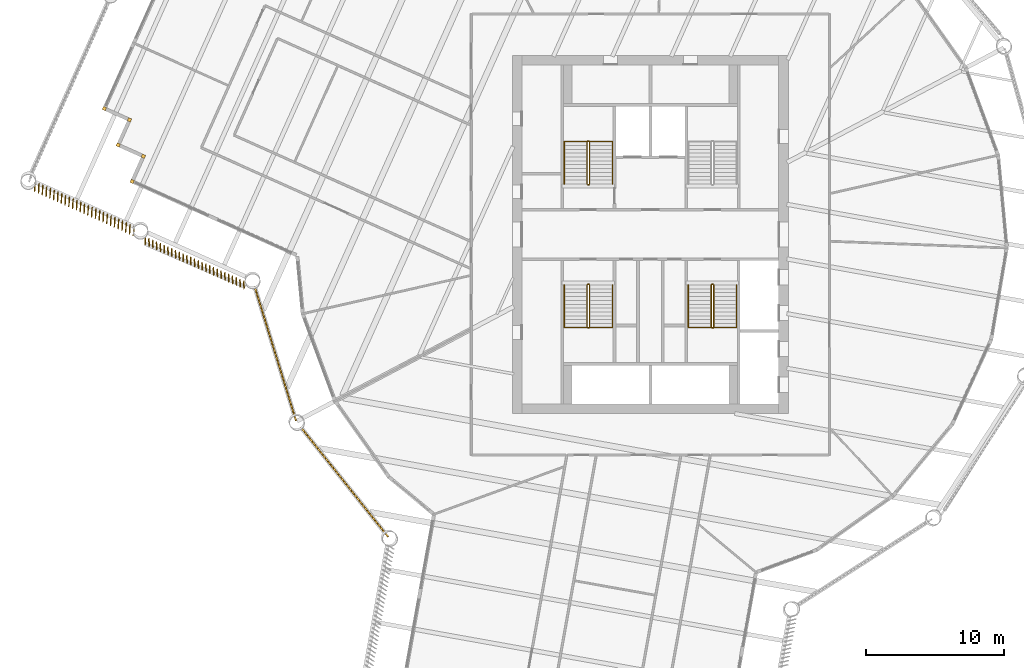
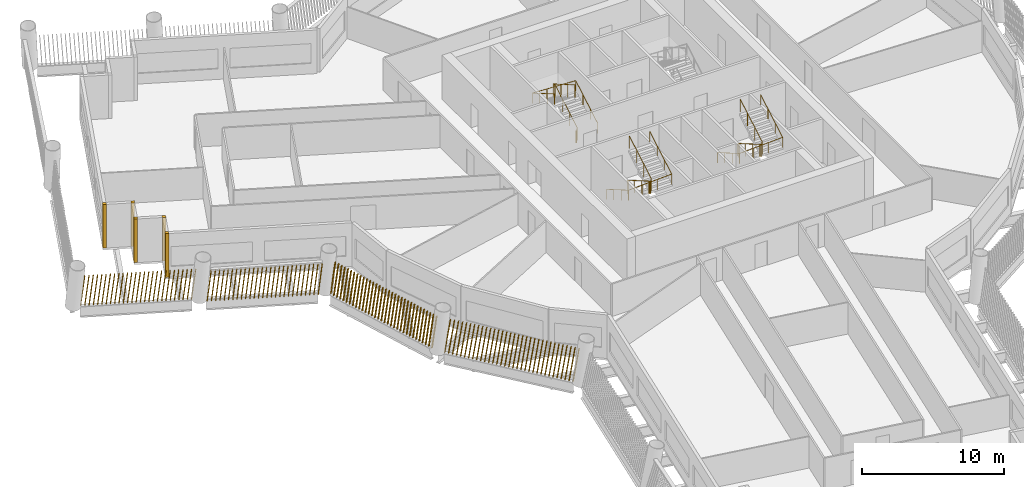
# One storey, part 11 of 14: 9 shading devices, 6 railings.
"""IFC4 building model written with IfcOpenShell, lengths in metres."""

from ifc_helpers import new_model, si_unit, direction, frame, frame_2d, origin, origin_2d, place, context, subcontext, project, spatial, rectangle, circle, composite_profile, extrude, material, type_object, element, save


model = new_model("IFC4")

# Units and contexts
model_context = context("Model", 3, precision=1e-05, world=origin(), true_north=direction((0.0, 1.0)))
body_context = subcontext(model_context, "Body", "Model", "MODEL_VIEW")
ifc_project = project(units=[si_unit("LENGTHUNIT", "METRE"), si_unit("AREAUNIT", "SQUARE_METRE"), si_unit("VOLUMEUNIT", "CUBIC_METRE"), si_unit("PLANEANGLEUNIT", "RADIAN"), si_unit("MASSUNIT", "GRAM", prefix="KILO")], contexts=[model_context])

# Site, building, storey
site_placement = place(None, origin())
site = spatial("IfcSite", under=ifc_project, at=site_placement, CompositionType="ELEMENT")
building_placement = place(site_placement, origin())
building = spatial("IfcBuilding", under=site, at=building_placement, Name="Tarsis Ring Headquarters", CompositionType="ELEMENT")
storey_placement = place(building_placement, frame((0.0, 0.0, 182.699951171875)))
storey = spatial("IfcBuildingStorey", under=building, at=storey_placement, Name="L42", CompositionType="ELEMENT", Elevation=182.699951171875)

# Railings
ifc_material_1 = material(Name="Steel S355", Category="steel")
railing_type_1 = type_object("IfcRailingType", Name="Core stair guard 1100", PredefinedType="GUARDRAIL", material=ifc_material_1)
railing_1_placement = place(storey_placement, frame((-4.5400390625, 3.610107421875, 0.0)))
element("IfcRailing", 1, at=railing_1_placement, inside=storey, type_object=railing_type_1, Name="L42 ST1 stair guard 1", PredefinedType="GUARDRAIL", context=body_context, shape_type="SweptSolid", body=[
    extrude(circle(Radius=0.02392578125, at=origin_2d()), frame((0.0, 0.0, 1.076171875), z_axis=(1.0, 0.0, 0.0), x_axis=(0.0, 1.0, 0.0)), (0.0, 0.0, 1.0), 0.080078125),
    extrude(circle(Radius=0.02392578125, at=origin_2d()), frame((0.080078125, 0.0, 1.076171875), z_axis=(0.282336740067, 0.280959487676, 0.917250092119), x_axis=(-0.705375805398, 0.708833529934, 0.0)), (0.0, 0.0, 1.0), 0.17724609375),
    extrude(circle(Radius=0.02392578125, at=origin_2d()), frame((0.130126953125, 0.0498046875, 1.23876953125), z_axis=(0.0, 0.864920483161, 0.501908913857), x_axis=(-1.0, 0.0, 0.0)), (0.0, 0.0, 1.0), 3.56103515625),
    extrude(circle(Radius=0.02392578125, at=origin_2d()), frame((0.130126953125, 3.1298828125, 3.02587890625), z_axis=(-0.707106781187, 0.707106781187, 0.0), x_axis=(-0.707106781187, -0.707106781187, 0.0)), (0.0, 0.0, 1.0), 0.07080078125),
    extrude(circle(Radius=0.02392578125, at=origin_2d()), frame((0.080078125, 3.179931640625, 3.02587890625), z_axis=(-1.0, 0.0, 0.0), x_axis=(0.0, -1.0, 0.0)), (0.0, 0.0, 1.0), 0.080078125),
    extrude(circle(Radius=0.02392578125, at=origin_2d()), frame((0.0, 3.179931640625, 3.02587890625), z_axis=(-0.282227285176, -0.282227285176, 0.916894497205), x_axis=(0.707106781187, -0.707106781187, 0.0)), (0.0, 0.0, 1.0), 0.17724609375),
    extrude(circle(Radius=0.02392578125, at=origin_2d()), frame((-0.050048828125, 3.1298828125, 3.1884765625), z_axis=(0.0, -0.864890721111, 0.501960198159), x_axis=(1.0, 0.0, 0.0)), (0.0, 0.0, 1.0), 3.561279296875),
    extrude(circle(Radius=0.02099609375, at=origin_2d()), origin(), (0.0, 0.0, 1.0), 1.052001953125),
    extrude(circle(Radius=0.02099609375, at=origin_2d()), frame((0.080078125, 0.0, 0.0)), (0.0, 0.0, 1.0), 1.052001953125),
    extrude(circle(Radius=0.02099609375, at=origin_2d()), frame((0.130126953125, 0.0498046875, 0.16259765625)), (0.0, 0.0, 1.0), 1.052001953125),
    extrude(circle(Radius=0.02099609375, at=origin_2d()), frame((0.130126953125, 1.076416015625, 0.75830078125)), (0.0, 0.0, 1.0), 1.052001953125),
    extrude(circle(Radius=0.02099609375, at=origin_2d()), frame((0.130126953125, 2.103271484375, 1.354248046875)), (0.0, 0.0, 1.0), 1.052001953125),
    extrude(circle(Radius=0.02099609375, at=origin_2d()), frame((0.130126953125, 3.1298828125, 1.949951171875)), (0.0, 0.0, 1.0), 1.052001953125),
    extrude(circle(Radius=0.02099609375, at=origin_2d()), frame((0.080078125, 3.179931640625, 1.949951171875)), (0.0, 0.0, 1.0), 1.052001953125),
    extrude(circle(Radius=0.02099609375, at=origin_2d()), frame((0.0, 3.179931640625, 1.949951171875)), (0.0, 0.0, 1.0), 1.052001953125),
    extrude(circle(Radius=0.02099609375, at=origin_2d()), frame((-0.050048828125, 3.1298828125, 2.112548828125)), (0.0, 0.0, 1.0), 1.052001953125),
    extrude(circle(Radius=0.02099609375, at=origin_2d()), frame((-0.050048828125, 2.103271484375, 2.70849609375)), (0.0, 0.0, 1.0), 1.052001953125),
    extrude(circle(Radius=0.02099609375, at=origin_2d()), frame((-0.050048828125, 1.076416015625, 3.30419921875)), (0.0, 0.0, 1.0), 1.052001953125),
    extrude(circle(Radius=0.02099609375, at=origin_2d()), frame((-0.050048828125, 0.0498046875, 3.900146484375)), (0.0, 0.0, 1.0), 1.052001953125),
])
railing_2_placement = place(storey_placement, frame((-4.4599609375, -3.610107421875, 0.0)))
element("IfcRailing", 2, at=railing_2_placement, inside=storey, type_object=railing_type_1, Name="L42 ST3 stair guard 1", PredefinedType="GUARDRAIL", context=body_context, shape_type="SweptSolid", body=[
    extrude(circle(Radius=0.02392578125, at=origin_2d()), frame((0.0, 0.0, 1.076171875), z_axis=(-1.0, 0.0, 0.0), x_axis=(0.0, -1.0, 0.0)), (0.0, 0.0, 1.0), 0.080078125),
    extrude(circle(Radius=0.02392578125, at=origin_2d()), frame((-0.080078125, 0.0, 1.076171875), z_axis=(-0.282336740067, -0.280959487676, 0.917250092119), x_axis=(0.705375805398, -0.708833529934, 0.0)), (0.0, 0.0, 1.0), 0.17724609375),
    extrude(circle(Radius=0.02392578125, at=origin_2d()), frame((-0.130126953125, -0.0498046875, 1.23876953125), z_axis=(0.0, -0.864920483161, 0.501908913857), x_axis=(1.0, 0.0, 0.0)), (0.0, 0.0, 1.0), 3.56103515625),
    extrude(circle(Radius=0.02392578125, at=origin_2d()), frame((-0.130126953125, -3.1298828125, 3.02587890625), z_axis=(0.707106781187, -0.707106781187, 0.0), x_axis=(0.707106781187, 0.707106781187, 0.0)), (0.0, 0.0, 1.0), 0.07080078125),
    extrude(circle(Radius=0.02392578125, at=origin_2d()), frame((-0.080078125, -3.179931640625, 3.02587890625), z_axis=(1.0, 0.0, 0.0), x_axis=(0.0, 1.0, 0.0)), (0.0, 0.0, 1.0), 0.080078125),
    extrude(circle(Radius=0.02392578125, at=origin_2d()), frame((0.0, -3.179931640625, 3.02587890625), z_axis=(0.282227285176, 0.282227285176, 0.916894497205), x_axis=(-0.707106781187, 0.707106781187, 0.0)), (0.0, 0.0, 1.0), 0.17724609375),
    extrude(circle(Radius=0.02392578125, at=origin_2d()), frame((0.050048828125, -3.1298828125, 3.1884765625), z_axis=(0.0, 0.864890721111, 0.501960198159), x_axis=(-1.0, 0.0, 0.0)), (0.0, 0.0, 1.0), 3.561279296875),
    extrude(circle(Radius=0.02099609375, at=origin_2d()), origin(), (0.0, 0.0, 1.0), 1.052001953125),
    extrude(circle(Radius=0.02099609375, at=origin_2d()), frame((-0.080078125, 0.0, 0.0)), (0.0, 0.0, 1.0), 1.052001953125),
    extrude(circle(Radius=0.02099609375, at=origin_2d()), frame((-0.130126953125, -0.0498046875, 0.16259765625)), (0.0, 0.0, 1.0), 1.052001953125),
    extrude(circle(Radius=0.02099609375, at=origin_2d()), frame((-0.130126953125, -1.076416015625, 0.75830078125)), (0.0, 0.0, 1.0), 1.052001953125),
    extrude(circle(Radius=0.02099609375, at=origin_2d()), frame((-0.130126953125, -2.103271484375, 1.354248046875)), (0.0, 0.0, 1.0), 1.052001953125),
    extrude(circle(Radius=0.02099609375, at=origin_2d()), frame((-0.130126953125, -3.1298828125, 1.949951171875)), (0.0, 0.0, 1.0), 1.052001953125),
    extrude(circle(Radius=0.02099609375, at=origin_2d()), frame((-0.080078125, -3.179931640625, 1.949951171875)), (0.0, 0.0, 1.0), 1.052001953125),
    extrude(circle(Radius=0.02099609375, at=origin_2d()), frame((0.0, -3.179931640625, 1.949951171875)), (0.0, 0.0, 1.0), 1.052001953125),
    extrude(circle(Radius=0.02099609375, at=origin_2d()), frame((0.050048828125, -3.1298828125, 2.112548828125)), (0.0, 0.0, 1.0), 1.052001953125),
    extrude(circle(Radius=0.02099609375, at=origin_2d()), frame((0.050048828125, -2.103271484375, 2.70849609375)), (0.0, 0.0, 1.0), 1.052001953125),
    extrude(circle(Radius=0.02099609375, at=origin_2d()), frame((0.050048828125, -1.076416015625, 3.30419921875)), (0.0, 0.0, 1.0), 1.052001953125),
    extrude(circle(Radius=0.02099609375, at=origin_2d()), frame((0.050048828125, -0.0498046875, 3.900146484375)), (0.0, 0.0, 1.0), 1.052001953125),
])
railing_3_placement = place(storey_placement, frame((4.5400390625, -3.610107421875, 0.0)))
element("IfcRailing", 3, at=railing_3_placement, inside=storey, type_object=railing_type_1, Name="L42 ST4 stair guard 1", PredefinedType="GUARDRAIL", context=body_context, shape_type="SweptSolid", body=[
    extrude(circle(Radius=0.02392578125, at=origin_2d()), frame((0.0, 0.0, 1.076171875), z_axis=(-1.0, 0.0, 0.0), x_axis=(0.0, -1.0, 0.0)), (0.0, 0.0, 1.0), 0.080078125),
    extrude(circle(Radius=0.02392578125, at=origin_2d()), frame((-0.080078125, 0.0, 1.076171875), z_axis=(-0.282336740067, -0.280959487676, 0.917250092119), x_axis=(0.705375805398, -0.708833529934, 0.0)), (0.0, 0.0, 1.0), 0.17724609375),
    extrude(circle(Radius=0.02392578125, at=origin_2d()), frame((-0.130126953125, -0.0498046875, 1.23876953125), z_axis=(0.0, -0.864920483161, 0.501908913857), x_axis=(1.0, 0.0, 0.0)), (0.0, 0.0, 1.0), 3.56103515625),
    extrude(circle(Radius=0.02392578125, at=origin_2d()), frame((-0.130126953125, -3.1298828125, 3.02587890625), z_axis=(0.707106781187, -0.707106781187, 0.0), x_axis=(0.707106781187, 0.707106781187, 0.0)), (0.0, 0.0, 1.0), 0.07080078125),
    extrude(circle(Radius=0.02392578125, at=origin_2d()), frame((-0.080078125, -3.179931640625, 3.02587890625), z_axis=(1.0, 0.0, 0.0), x_axis=(0.0, 1.0, 0.0)), (0.0, 0.0, 1.0), 0.080078125),
    extrude(circle(Radius=0.02392578125, at=origin_2d()), frame((0.0, -3.179931640625, 3.02587890625), z_axis=(0.282227285176, 0.282227285176, 0.916894497205), x_axis=(-0.707106781187, 0.707106781187, 0.0)), (0.0, 0.0, 1.0), 0.17724609375),
    extrude(circle(Radius=0.02392578125, at=origin_2d()), frame((0.050048828125, -3.1298828125, 3.1884765625), z_axis=(0.0, 0.864890721111, 0.501960198159), x_axis=(-1.0, 0.0, 0.0)), (0.0, 0.0, 1.0), 3.561279296875),
    extrude(circle(Radius=0.02099609375, at=origin_2d()), origin(), (0.0, 0.0, 1.0), 1.052001953125),
    extrude(circle(Radius=0.02099609375, at=origin_2d()), frame((-0.080078125, 0.0, 0.0)), (0.0, 0.0, 1.0), 1.052001953125),
    extrude(circle(Radius=0.02099609375, at=origin_2d()), frame((-0.130126953125, -0.0498046875, 0.16259765625)), (0.0, 0.0, 1.0), 1.052001953125),
    extrude(circle(Radius=0.02099609375, at=origin_2d()), frame((-0.130126953125, -1.076416015625, 0.75830078125)), (0.0, 0.0, 1.0), 1.052001953125),
    extrude(circle(Radius=0.02099609375, at=origin_2d()), frame((-0.130126953125, -2.103271484375, 1.354248046875)), (0.0, 0.0, 1.0), 1.052001953125),
    extrude(circle(Radius=0.02099609375, at=origin_2d()), frame((-0.130126953125, -3.1298828125, 1.949951171875)), (0.0, 0.0, 1.0), 1.052001953125),
    extrude(circle(Radius=0.02099609375, at=origin_2d()), frame((-0.080078125, -3.179931640625, 1.949951171875)), (0.0, 0.0, 1.0), 1.052001953125),
    extrude(circle(Radius=0.02099609375, at=origin_2d()), frame((0.0, -3.179931640625, 1.949951171875)), (0.0, 0.0, 1.0), 1.052001953125),
    extrude(circle(Radius=0.02099609375, at=origin_2d()), frame((0.050048828125, -3.1298828125, 2.112548828125)), (0.0, 0.0, 1.0), 1.052001953125),
    extrude(circle(Radius=0.02099609375, at=origin_2d()), frame((0.050048828125, -2.103271484375, 2.70849609375)), (0.0, 0.0, 1.0), 1.052001953125),
    extrude(circle(Radius=0.02099609375, at=origin_2d()), frame((0.050048828125, -1.076416015625, 3.30419921875)), (0.0, 0.0, 1.0), 1.052001953125),
    extrude(circle(Radius=0.02099609375, at=origin_2d()), frame((0.050048828125, -0.0498046875, 3.900146484375)), (0.0, 0.0, 1.0), 1.052001953125),
])
railing_type_2 = type_object("IfcRailingType", Name="Core stair handrail 900", PredefinedType="HANDRAIL", material=ifc_material_1)
railing_4_placement = place(storey_placement, frame((-2.75, 3.659912109375, 0.16259765625)))
element("IfcRailing", 4, at=railing_4_placement, inside=storey, type_object=railing_type_2, Name="L42 ST1 stair handrail 1", PredefinedType="HANDRAIL", context=body_context, shape_type="SweptSolid", body=[
    extrude(circle(Radius=0.02392578125, at=origin_2d()), frame((0.0, 0.0, 0.8759765625), z_axis=(0.0, 0.864920483161, 0.501908913857), x_axis=(-1.0, 0.0, 0.0)), (0.0, 0.0, 1.0), 3.56103515625),
    extrude(circle(Radius=0.02392578125, at=origin_2d()), frame((0.0, 3.080078125, 2.6630859375), z_axis=(-0.998922641604, 0.0, 0.046406422943), x_axis=(0.0, -1.0, 0.0)), (0.0, 0.0, 1.0), 3.503662109375),
    extrude(circle(Radius=0.02392578125, at=origin_2d()), frame((-3.5, 3.080078125, 2.82568359375), z_axis=(0.0, -0.864890721111, 0.501960198159), x_axis=(1.0, 0.0, 0.0)), (0.0, 0.0, 1.0), 3.561279296875),
    extrude(circle(Radius=0.02099609375, at=origin_2d()), origin(), (0.0, 0.0, 1.0), 0.851806640625),
    extrude(circle(Radius=0.02099609375, at=origin_2d()), frame((0.0, 1.026611328125, 0.595703125)), (0.0, 0.0, 1.0), 0.851806640625),
    extrude(circle(Radius=0.02099609375, at=origin_2d()), frame((0.0, 2.053466796875, 1.191650390625)), (0.0, 0.0, 1.0), 0.851806640625),
    extrude(circle(Radius=0.02099609375, at=origin_2d()), frame((0.0, 3.080078125, 1.787353515625)), (0.0, 0.0, 1.0), 0.851806640625),
    extrude(circle(Radius=0.02099609375, at=origin_2d()), frame((-1.166748046875, 3.080078125, 1.841552734375)), (0.0, 0.0, 1.0), 0.851806640625),
    extrude(circle(Radius=0.02099609375, at=origin_2d()), frame((-2.333251953125, 3.080078125, 1.895751953125)), (0.0, 0.0, 1.0), 0.851806640625),
    extrude(circle(Radius=0.02099609375, at=origin_2d()), frame((-3.5, 3.080078125, 1.949951171875)), (0.0, 0.0, 1.0), 0.851806640625),
    extrude(circle(Radius=0.02099609375, at=origin_2d()), frame((-3.5, 2.053466796875, 2.5458984375)), (0.0, 0.0, 1.0), 0.851806640625),
    extrude(circle(Radius=0.02099609375, at=origin_2d()), frame((-3.5, 1.026611328125, 3.1416015625)), (0.0, 0.0, 1.0), 0.851806640625),
    extrude(circle(Radius=0.02099609375, at=origin_2d()), frame((-3.5, 0.0, 3.737548828125)), (0.0, 0.0, 1.0), 0.851806640625),
])
railing_5_placement = place(storey_placement, frame((-6.25, -3.659912109375, 0.16259765625)))
element("IfcRailing", 5, at=railing_5_placement, inside=storey, type_object=railing_type_2, Name="L42 ST3 stair handrail 1", PredefinedType="HANDRAIL", context=body_context, shape_type="SweptSolid", body=[
    extrude(circle(Radius=0.02392578125, at=origin_2d()), frame((0.0, 0.0, 0.8759765625), z_axis=(0.0, -0.864920483161, 0.501908913857), x_axis=(1.0, 0.0, 0.0)), (0.0, 0.0, 1.0), 3.56103515625),
    extrude(circle(Radius=0.02392578125, at=origin_2d()), frame((0.0, -3.080078125, 2.6630859375), z_axis=(0.998922641604, 0.0, 0.046406422943), x_axis=(0.0, 1.0, 0.0)), (0.0, 0.0, 1.0), 3.503662109375),
    extrude(circle(Radius=0.02392578125, at=origin_2d()), frame((3.5, -3.080078125, 2.82568359375), z_axis=(0.0, 0.864890721111, 0.501960198159), x_axis=(-1.0, 0.0, 0.0)), (0.0, 0.0, 1.0), 3.561279296875),
    extrude(circle(Radius=0.02099609375, at=origin_2d()), origin(), (0.0, 0.0, 1.0), 0.851806640625),
    extrude(circle(Radius=0.02099609375, at=origin_2d()), frame((0.0, -1.026611328125, 0.595703125)), (0.0, 0.0, 1.0), 0.851806640625),
    extrude(circle(Radius=0.02099609375, at=origin_2d()), frame((0.0, -2.053466796875, 1.191650390625)), (0.0, 0.0, 1.0), 0.851806640625),
    extrude(circle(Radius=0.02099609375, at=origin_2d()), frame((0.0, -3.080078125, 1.787353515625)), (0.0, 0.0, 1.0), 0.851806640625),
    extrude(circle(Radius=0.02099609375, at=origin_2d()), frame((1.166748046875, -3.080078125, 1.841552734375)), (0.0, 0.0, 1.0), 0.851806640625),
    extrude(circle(Radius=0.02099609375, at=origin_2d()), frame((2.333251953125, -3.080078125, 1.895751953125)), (0.0, 0.0, 1.0), 0.851806640625),
    extrude(circle(Radius=0.02099609375, at=origin_2d()), frame((3.5, -3.080078125, 1.949951171875)), (0.0, 0.0, 1.0), 0.851806640625),
    extrude(circle(Radius=0.02099609375, at=origin_2d()), frame((3.5, -2.053466796875, 2.5458984375)), (0.0, 0.0, 1.0), 0.851806640625),
    extrude(circle(Radius=0.02099609375, at=origin_2d()), frame((3.5, -1.026611328125, 3.1416015625)), (0.0, 0.0, 1.0), 0.851806640625),
    extrude(circle(Radius=0.02099609375, at=origin_2d()), frame((3.5, 0.0, 3.737548828125)), (0.0, 0.0, 1.0), 0.851806640625),
])
railing_6_placement = place(storey_placement, frame((2.75, -3.659912109375, 0.16259765625)))
element("IfcRailing", 6, at=railing_6_placement, inside=storey, type_object=railing_type_2, Name="L42 ST4 stair handrail 1", PredefinedType="HANDRAIL", context=body_context, shape_type="SweptSolid", body=[
    extrude(circle(Radius=0.02392578125, at=origin_2d()), frame((0.0, 0.0, 0.8759765625), z_axis=(0.0, -0.864920483161, 0.501908913857), x_axis=(1.0, 0.0, 0.0)), (0.0, 0.0, 1.0), 3.56103515625),
    extrude(circle(Radius=0.02392578125, at=origin_2d()), frame((0.0, -3.080078125, 2.6630859375), z_axis=(0.998922641604, 0.0, 0.046406422943), x_axis=(0.0, 1.0, 0.0)), (0.0, 0.0, 1.0), 3.503662109375),
    extrude(circle(Radius=0.02392578125, at=origin_2d()), frame((3.5, -3.080078125, 2.82568359375), z_axis=(0.0, 0.864890721111, 0.501960198159), x_axis=(-1.0, 0.0, 0.0)), (0.0, 0.0, 1.0), 3.561279296875),
    extrude(circle(Radius=0.02099609375, at=origin_2d()), origin(), (0.0, 0.0, 1.0), 0.851806640625),
    extrude(circle(Radius=0.02099609375, at=origin_2d()), frame((0.0, -1.026611328125, 0.595703125)), (0.0, 0.0, 1.0), 0.851806640625),
    extrude(circle(Radius=0.02099609375, at=origin_2d()), frame((0.0, -2.053466796875, 1.191650390625)), (0.0, 0.0, 1.0), 0.851806640625),
    extrude(circle(Radius=0.02099609375, at=origin_2d()), frame((0.0, -3.080078125, 1.787353515625)), (0.0, 0.0, 1.0), 0.851806640625),
    extrude(circle(Radius=0.02099609375, at=origin_2d()), frame((1.166748046875, -3.080078125, 1.841552734375)), (0.0, 0.0, 1.0), 0.851806640625),
    extrude(circle(Radius=0.02099609375, at=origin_2d()), frame((2.333251953125, -3.080078125, 1.895751953125)), (0.0, 0.0, 1.0), 0.851806640625),
    extrude(circle(Radius=0.02099609375, at=origin_2d()), frame((3.5, -3.080078125, 1.949951171875)), (0.0, 0.0, 1.0), 0.851806640625),
    extrude(circle(Radius=0.02099609375, at=origin_2d()), frame((3.5, -2.053466796875, 2.5458984375)), (0.0, 0.0, 1.0), 0.851806640625),
    extrude(circle(Radius=0.02099609375, at=origin_2d()), frame((3.5, -1.026611328125, 3.1416015625)), (0.0, 0.0, 1.0), 0.851806640625),
    extrude(circle(Radius=0.02099609375, at=origin_2d()), frame((3.5, 0.0, 3.737548828125)), (0.0, 0.0, 1.0), 0.851806640625),
])

# Shading devices
ifc_material_2 = material(Name="Terracotta baguette", Category="masonry")
shading_device_type_1 = type_object("IfcShadingDeviceType", Name="Terracotta baguette screen", PredefinedType="USERDEFINED", material=ifc_material_2)
shading_device_1_placement = place(storey_placement, frame((-25.374755859375, -13.95703125, 0.0), z_axis=(0.0, 0.0, 1.0), x_axis=(0.622851289226, -0.782355586648, 0.0)))
element("IfcShadingDevice", 7, at=shading_device_1_placement, inside=storey, type_object=shading_device_type_1, Name="Baguette screen L42-00", ObjectType="Terracotta baguette screen", PredefinedType="USERDEFINED", context=body_context, shape_type="SweptSolid", body=[
    extrude(composite_profile([rectangle(XDim=0.06005859375, YDim=0.1201171875, at=frame_2d((0.030029296875, 0.0))), rectangle(XDim=0.06005859375, YDim=0.1201171875, at=frame_2d((0.33349609375, 0.0))), rectangle(XDim=0.06005859375, YDim=0.1201171875, at=frame_2d((0.636962890625, 0.0))), rectangle(XDim=0.06005859375, YDim=0.1201171875, at=frame_2d((0.9404296875, 0.0))), rectangle(XDim=0.06005859375, YDim=0.1201171875, at=frame_2d((1.243896484375, 0.0))), rectangle(XDim=0.06005859375, YDim=0.1201171875, at=frame_2d((1.54736328125, 0.0))), rectangle(XDim=0.06005859375, YDim=0.1201171875, at=frame_2d((1.850830078125, 0.0))), rectangle(XDim=0.06005859375, YDim=0.1201171875, at=frame_2d((2.154296875, 0.0))), rectangle(XDim=0.06005859375, YDim=0.1201171875, at=frame_2d((2.4580078125, 0.0))), rectangle(XDim=0.06005859375, YDim=0.1201171875, at=frame_2d((2.761474609375, 0.0))), rectangle(XDim=0.06005859375, YDim=0.1201171875, at=frame_2d((3.06494140625, 0.0))), rectangle(XDim=0.06005859375, YDim=0.1201171875, at=frame_2d((3.368408203125, 0.0))), rectangle(XDim=0.06005859375, YDim=0.1201171875, at=frame_2d((3.671875, 0.0))), rectangle(XDim=0.06005859375, YDim=0.1201171875, at=frame_2d((3.975341796875, 0.0))), rectangle(XDim=0.06005859375, YDim=0.1201171875, at=frame_2d((4.27880859375, 0.0))), rectangle(XDim=0.06005859375, YDim=0.1201171875, at=frame_2d((4.582275390625, 0.0))), rectangle(XDim=0.06005859375, YDim=0.1201171875, at=frame_2d((4.8857421875, 0.0))), rectangle(XDim=0.06005859375, YDim=0.1201171875, at=frame_2d((5.189208984375, 0.0))), rectangle(XDim=0.06005859375, YDim=0.1201171875, at=frame_2d((5.49267578125, 0.0))), rectangle(XDim=0.06005859375, YDim=0.1201171875, at=frame_2d((5.796142578125, 0.0))), rectangle(XDim=0.06005859375, YDim=0.1201171875, at=frame_2d((6.099609375, 0.0))), rectangle(XDim=0.06005859375, YDim=0.1201171875, at=frame_2d((6.403076171875, 0.0))), rectangle(XDim=0.06005859375, YDim=0.1201171875, at=frame_2d((6.70654296875, 0.0))), rectangle(XDim=0.06005859375, YDim=0.1201171875, at=frame_2d((7.010009765625, 0.0))), rectangle(XDim=0.06005859375, YDim=0.1201171875, at=frame_2d((7.3134765625, 0.0))), rectangle(XDim=0.06005859375, YDim=0.1201171875, at=frame_2d((7.6171875, 0.0))), rectangle(XDim=0.06005859375, YDim=0.1201171875, at=frame_2d((7.920654296875, 0.0))), rectangle(XDim=0.06005859375, YDim=0.1201171875, at=frame_2d((8.22412109375, 0.0))), rectangle(XDim=0.06005859375, YDim=0.1201171875, at=frame_2d((8.527587890625, 0.0))), rectangle(XDim=0.06005859375, YDim=0.1201171875, at=frame_2d((8.8310546875, 0.0))), rectangle(XDim=0.06005859375, YDim=0.1201171875, at=frame_2d((9.134521484375, 0.0))), rectangle(XDim=0.06005859375, YDim=0.1201171875, at=frame_2d((9.43798828125, 0.0))), rectangle(XDim=0.06005859375, YDim=0.1201171875, at=frame_2d((9.741455078125, 0.0)))]), origin(), (0.150265892389, 0.001182730812, 0.988644912358), 2.98388671875),
])
shading_device_2_placement = place(storey_placement, frame((-44.652099609375, 3.80908203125, 0.0), z_axis=(0.0, 0.0, 1.0), x_axis=(0.912410788766, -0.409274878735, 0.0)))
element("IfcShadingDevice", 8, at=shading_device_2_placement, inside=storey, type_object=shading_device_type_1, Name="Baguette screen L42-19", ObjectType="Terracotta baguette screen", PredefinedType="USERDEFINED", context=body_context, shape_type="SweptSolid", body=[
    extrude(composite_profile([rectangle(XDim=0.06005859375, YDim=0.1201171875, at=frame_2d((0.030029296875, 0.0))), rectangle(XDim=0.06005859375, YDim=0.1201171875, at=frame_2d((0.33154296875, 0.0))), rectangle(XDim=0.06005859375, YDim=0.1201171875, at=frame_2d((0.63330078125, 0.0))), rectangle(XDim=0.06005859375, YDim=0.1201171875, at=frame_2d((0.934814453125, 0.0))), rectangle(XDim=0.06005859375, YDim=0.1201171875, at=frame_2d((1.236572265625, 0.0))), rectangle(XDim=0.06005859375, YDim=0.1201171875, at=frame_2d((1.5380859375, 0.0))), rectangle(XDim=0.06005859375, YDim=0.1201171875, at=frame_2d((1.83984375, 0.0))), rectangle(XDim=0.06005859375, YDim=0.1201171875, at=frame_2d((2.141357421875, 0.0))), rectangle(XDim=0.06005859375, YDim=0.1201171875, at=frame_2d((2.443115234375, 0.0))), rectangle(XDim=0.06005859375, YDim=0.1201171875, at=frame_2d((2.74462890625, 0.0))), rectangle(XDim=0.06005859375, YDim=0.1201171875, at=frame_2d((3.04638671875, 0.0))), rectangle(XDim=0.06005859375, YDim=0.1201171875, at=frame_2d((3.347900390625, 0.0))), rectangle(XDim=0.06005859375, YDim=0.1201171875, at=frame_2d((3.649658203125, 0.0))), rectangle(XDim=0.06005859375, YDim=0.1201171875, at=frame_2d((3.951171875, 0.0))), rectangle(XDim=0.06005859375, YDim=0.1201171875, at=frame_2d((4.252685546875, 0.0))), rectangle(XDim=0.06005859375, YDim=0.1201171875, at=frame_2d((4.554443359375, 0.0))), rectangle(XDim=0.06005859375, YDim=0.1201171875, at=frame_2d((4.85595703125, 0.0))), rectangle(XDim=0.06005859375, YDim=0.1201171875, at=frame_2d((5.15771484375, 0.0))), rectangle(XDim=0.06005859375, YDim=0.1201171875, at=frame_2d((5.459228515625, 0.0))), rectangle(XDim=0.06005859375, YDim=0.1201171875, at=frame_2d((5.760986328125, 0.0))), rectangle(XDim=0.06005859375, YDim=0.1201171875, at=frame_2d((6.0625, 0.0))), rectangle(XDim=0.06005859375, YDim=0.1201171875, at=frame_2d((6.3642578125, 0.0))), rectangle(XDim=0.06005859375, YDim=0.1201171875, at=frame_2d((6.665771484375, 0.0))), rectangle(XDim=0.06005859375, YDim=0.1201171875, at=frame_2d((6.967529296875, 0.0))), rectangle(XDim=0.06005859375, YDim=0.1201171875, at=frame_2d((7.26904296875, 0.0))), rectangle(XDim=0.06005859375, YDim=0.1201171875, at=frame_2d((7.57080078125, 0.0))), rectangle(XDim=0.06005859375, YDim=0.1201171875, at=frame_2d((7.872314453125, 0.0)))]), origin(), (0.078546078595, -0.198866691295, 0.976873867309), 3.019775390625),
])
shading_device_3_placement = place(storey_placement, frame((-36.683349609375, -0.176513671875, 0.0), z_axis=(0.0, 0.0, 1.0), x_axis=(0.91241349481, -0.409293129016, 0.0)))
element("IfcShadingDevice", 9, at=shading_device_3_placement, inside=storey, type_object=shading_device_type_1, Name="Baguette screen L42-20", ObjectType="Terracotta baguette screen", PredefinedType="USERDEFINED", context=body_context, shape_type="SweptSolid", body=[
    extrude(composite_profile([rectangle(XDim=0.06005859375, YDim=0.1201171875, at=frame_2d((0.030029296875, 0.0))), rectangle(XDim=0.06005859375, YDim=0.1201171875, at=frame_2d((0.33154296875, 0.0))), rectangle(XDim=0.06005859375, YDim=0.1201171875, at=frame_2d((0.63330078125, 0.0))), rectangle(XDim=0.06005859375, YDim=0.1201171875, at=frame_2d((0.934814453125, 0.0))), rectangle(XDim=0.06005859375, YDim=0.1201171875, at=frame_2d((1.236572265625, 0.0))), rectangle(XDim=0.06005859375, YDim=0.1201171875, at=frame_2d((1.5380859375, 0.0))), rectangle(XDim=0.06005859375, YDim=0.1201171875, at=frame_2d((1.83984375, 0.0))), rectangle(XDim=0.06005859375, YDim=0.1201171875, at=frame_2d((2.141357421875, 0.0))), rectangle(XDim=0.06005859375, YDim=0.1201171875, at=frame_2d((2.443115234375, 0.0))), rectangle(XDim=0.06005859375, YDim=0.1201171875, at=frame_2d((2.74462890625, 0.0))), rectangle(XDim=0.06005859375, YDim=0.1201171875, at=frame_2d((3.04638671875, 0.0))), rectangle(XDim=0.06005859375, YDim=0.1201171875, at=frame_2d((3.347900390625, 0.0))), rectangle(XDim=0.06005859375, YDim=0.1201171875, at=frame_2d((3.649658203125, 0.0))), rectangle(XDim=0.06005859375, YDim=0.1201171875, at=frame_2d((3.951171875, 0.0))), rectangle(XDim=0.06005859375, YDim=0.1201171875, at=frame_2d((4.252685546875, 0.0))), rectangle(XDim=0.06005859375, YDim=0.1201171875, at=frame_2d((4.554443359375, 0.0))), rectangle(XDim=0.06005859375, YDim=0.1201171875, at=frame_2d((4.85595703125, 0.0))), rectangle(XDim=0.06005859375, YDim=0.1201171875, at=frame_2d((5.15771484375, 0.0))), rectangle(XDim=0.06005859375, YDim=0.1201171875, at=frame_2d((5.459228515625, 0.0))), rectangle(XDim=0.06005859375, YDim=0.1201171875, at=frame_2d((5.760986328125, 0.0))), rectangle(XDim=0.06005859375, YDim=0.1201171875, at=frame_2d((6.0625, 0.0))), rectangle(XDim=0.06005859375, YDim=0.1201171875, at=frame_2d((6.3642578125, 0.0))), rectangle(XDim=0.06005859375, YDim=0.1201171875, at=frame_2d((6.665771484375, 0.0))), rectangle(XDim=0.06005859375, YDim=0.1201171875, at=frame_2d((6.967529296875, 0.0))), rectangle(XDim=0.06005859375, YDim=0.1201171875, at=frame_2d((7.26904296875, 0.0))), rectangle(XDim=0.06005859375, YDim=0.1201171875, at=frame_2d((7.57080078125, 0.0))), rectangle(XDim=0.06005859375, YDim=0.1201171875, at=frame_2d((7.872314453125, 0.0)))]), origin(), (0.080786344064, -0.153784245479, 0.984796411679), 2.99560546875),
])
shading_device_4_placement = place(storey_placement, frame((-28.716064453125, -3.7509765625, 0.0), z_axis=(0.0, 0.0, 1.0), x_axis=(0.29495827712, -0.95550392245, 0.0)))
element("IfcShadingDevice", 10, at=shading_device_4_placement, inside=storey, type_object=shading_device_type_1, Name="Baguette screen L42-21", ObjectType="Terracotta baguette screen", PredefinedType="USERDEFINED", context=body_context, shape_type="SweptSolid", body=[
    extrude(composite_profile([rectangle(XDim=0.06005859375, YDim=0.1201171875, at=frame_2d((0.030029296875, 0.0))), rectangle(XDim=0.06005859375, YDim=0.1201171875, at=frame_2d((0.33349609375, 0.0))), rectangle(XDim=0.06005859375, YDim=0.1201171875, at=frame_2d((0.636962890625, 0.0))), rectangle(XDim=0.06005859375, YDim=0.1201171875, at=frame_2d((0.9404296875, 0.0))), rectangle(XDim=0.06005859375, YDim=0.1201171875, at=frame_2d((1.243896484375, 0.0))), rectangle(XDim=0.06005859375, YDim=0.1201171875, at=frame_2d((1.54736328125, 0.0))), rectangle(XDim=0.06005859375, YDim=0.1201171875, at=frame_2d((1.85107421875, 0.0))), rectangle(XDim=0.06005859375, YDim=0.1201171875, at=frame_2d((2.154541015625, 0.0))), rectangle(XDim=0.06005859375, YDim=0.1201171875, at=frame_2d((2.4580078125, 0.0))), rectangle(XDim=0.06005859375, YDim=0.1201171875, at=frame_2d((2.761474609375, 0.0))), rectangle(XDim=0.06005859375, YDim=0.1201171875, at=frame_2d((3.06494140625, 0.0))), rectangle(XDim=0.06005859375, YDim=0.1201171875, at=frame_2d((3.368408203125, 0.0))), rectangle(XDim=0.06005859375, YDim=0.1201171875, at=frame_2d((3.671875, 0.0))), rectangle(XDim=0.06005859375, YDim=0.1201171875, at=frame_2d((3.975341796875, 0.0))), rectangle(XDim=0.06005859375, YDim=0.1201171875, at=frame_2d((4.27880859375, 0.0))), rectangle(XDim=0.06005859375, YDim=0.1201171875, at=frame_2d((4.582275390625, 0.0))), rectangle(XDim=0.06005859375, YDim=0.1201171875, at=frame_2d((4.8857421875, 0.0))), rectangle(XDim=0.06005859375, YDim=0.1201171875, at=frame_2d((5.189453125, 0.0))), rectangle(XDim=0.06005859375, YDim=0.1201171875, at=frame_2d((5.492919921875, 0.0))), rectangle(XDim=0.06005859375, YDim=0.1201171875, at=frame_2d((5.79638671875, 0.0))), rectangle(XDim=0.06005859375, YDim=0.1201171875, at=frame_2d((6.099853515625, 0.0))), rectangle(XDim=0.06005859375, YDim=0.1201171875, at=frame_2d((6.4033203125, 0.0))), rectangle(XDim=0.06005859375, YDim=0.1201171875, at=frame_2d((6.706787109375, 0.0))), rectangle(XDim=0.06005859375, YDim=0.1201171875, at=frame_2d((7.01025390625, 0.0))), rectangle(XDim=0.06005859375, YDim=0.1201171875, at=frame_2d((7.313720703125, 0.0))), rectangle(XDim=0.06005859375, YDim=0.1201171875, at=frame_2d((7.6171875, 0.0))), rectangle(XDim=0.06005859375, YDim=0.1201171875, at=frame_2d((7.920654296875, 0.0))), rectangle(XDim=0.06005859375, YDim=0.1201171875, at=frame_2d((8.224365234375, 0.0))), rectangle(XDim=0.06005859375, YDim=0.1201171875, at=frame_2d((8.52783203125, 0.0))), rectangle(XDim=0.06005859375, YDim=0.1201171875, at=frame_2d((8.831298828125, 0.0))), rectangle(XDim=0.06005859375, YDim=0.1201171875, at=frame_2d((9.134765625, 0.0))), rectangle(XDim=0.06005859375, YDim=0.1201171875, at=frame_2d((9.438232421875, 0.0))), rectangle(XDim=0.06005859375, YDim=0.1201171875, at=frame_2d((9.74169921875, 0.0)))]), origin(), (0.150263047738, 0.001179914062, 0.988645348084), 2.98388671875),
])
shading_device_type_2 = type_object("IfcShadingDeviceType", Name="Terracotta corner baguette 250x250", PredefinedType="USERDEFINED", material=ifc_material_2)
for number, where, z_axis, x_axis, name in (
    (11, (-37.5927734375, 3.848388671875, 0.0), (0.0, 0.0, 1.0), (-0.409286058483, -0.912406116996, 0.0), "Corner baguette L42-01"),
    (12, (-39.605224609375, 9.135009765625, 0.0), (0.0, 0.0, 1.0), (-0.409286106256, -0.912406095566, 0.0), "Corner baguette L42-37"),
    (13, (-37.780517578125, 8.31640625, 0.0), (0.0, 0.0, 1.0), (0.912406116996, -0.409286058483, 0.0), "Corner baguette L42-38"),
    (14, (-38.59912109375, 6.49169921875, 0.0), (0.0, 0.0, 1.0), (-0.409286472519, -0.912405931268, 0.0), "Corner baguette L42-39"),
    (15, (-36.774169921875, 5.673095703125, 0.0), (0.0, 0.0, 1.0), (0.912406016989, -0.409286281425, 0.0), "Corner baguette L42-40"),
):
    element("IfcShadingDevice", number, at=place(storey_placement, frame(where, z_axis=z_axis, x_axis=x_axis)), inside=storey, type_object=shading_device_type_2, Name=name, ObjectType="Terracotta corner baguette", PredefinedType="USERDEFINED", context=body_context, shape_type="SweptSolid", body=[
        extrude(rectangle(XDim=0.25, YDim=0.25, at=origin_2d()), origin(), (0.0, 0.0, 1.0), 3.739990234375),
    ])

save(model, "model.ifc")
